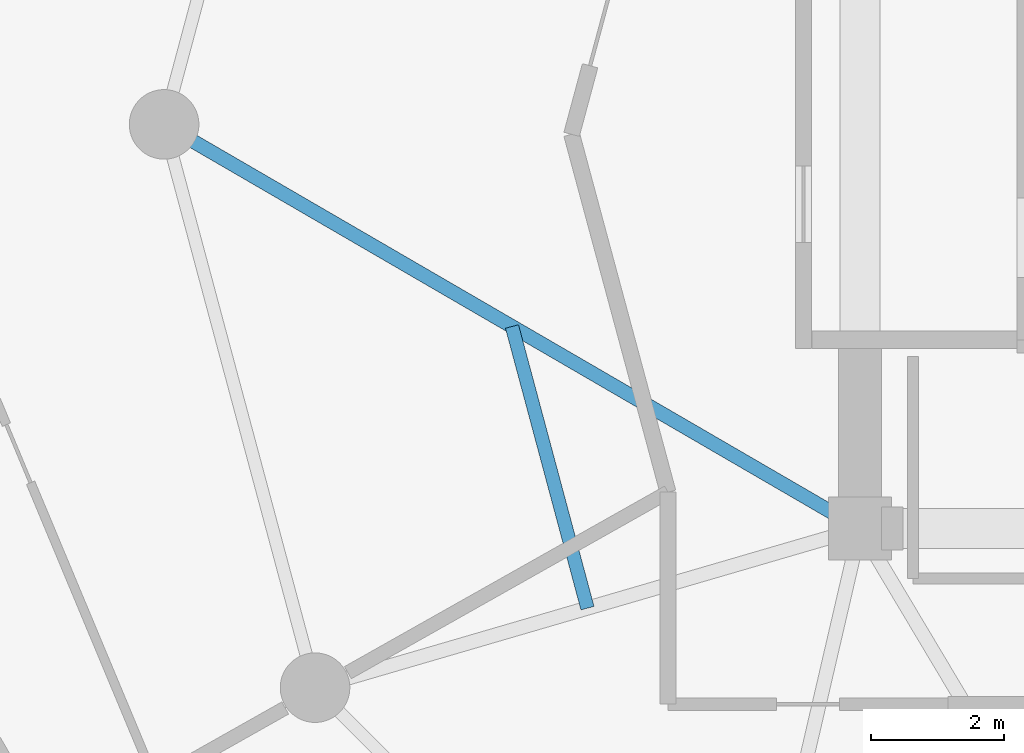
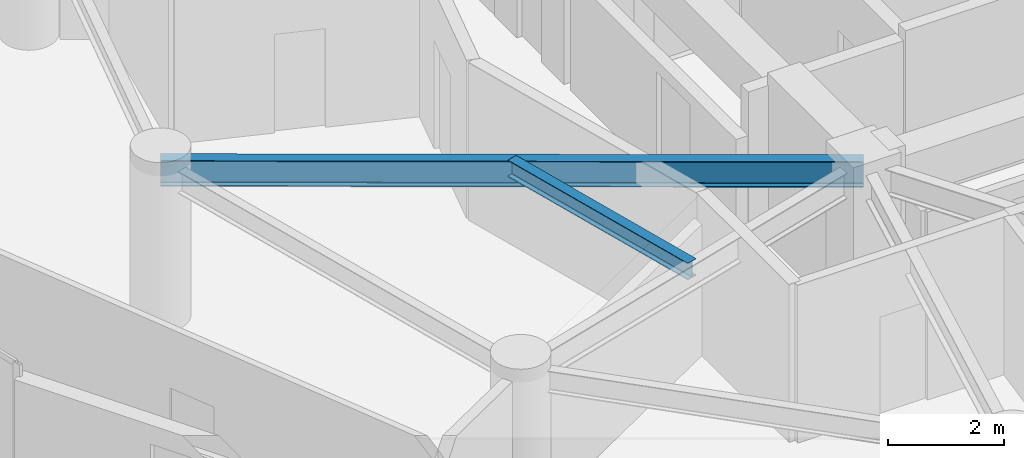
# One storey, part 7 of 25: 2 beams.
"""IFC4 building model written with IfcOpenShell, lengths in metres."""

import ifcopenshell
import ifcopenshell.guid

model = None  # the IFC model being written
_history = None  # IfcOwnerHistory: only IFC2X3 demands one
_inside = {}  # id of a spatial element -> (the spatial element, [elements in it])
_under = {}  # id of a project, library or spatial element -> (it, [spatial elements below it])
_declared = {}  # id of a project -> (the project, [libraries it declares])
_typed = {}  # id of a type object -> (the type object, [elements of that type])
_made_of = {}  # id of a material, layer set ... -> (it, [elements and type objects made of it])


def new_model(schema):
    """Start an empty IFC model of exactly this schema.

    Asked for "IFC4X3", IfcOpenShell would pick the latest addendum, in which some entities
    have other attributes; the version numbers below select the first issue.
    IFC2X3 requires an IfcOwnerHistory on every rooted entity: one is made here for all.
    """
    global model, _history
    if schema == "IFC4X3":
        model = ifcopenshell.file(schema_version=(4, 3, 0, 0))
    else:
        model = ifcopenshell.file(schema=schema)
    _inside.clear()
    _under.clear()
    _declared.clear()
    _typed.clear()
    _made_of.clear()
    _history = None
    if model.schema == "IFC2X3":
        org = make("IfcOrganization", Name="unknown")
        user = make(
            "IfcPersonAndOrganization",
            ThePerson=make("IfcPerson", FamilyName="unknown"),
            TheOrganization=org,
        )
        app = make(
            "IfcApplication",
            ApplicationDeveloper=org,
            Version="unknown",
            ApplicationFullName="unknown",
            ApplicationIdentifier="unknown",
        )
        _history = make(
            "IfcOwnerHistory",
            OwningUser=user,
            OwningApplication=app,
            ChangeAction="ADDED",
            CreationDate=0,
        )
    return model


def make(cls, **values):
    """One entity of the class cls with the attributes given. An attribute that is None is left unset."""
    return model.create_entity(
        cls, **{name: value for name, value in values.items() if value is not None}
    )


def rooted(cls, **values):
    """An entity with a GlobalId (a new one), such as an element, a storey or a relation."""
    return make(cls, GlobalId=ifcopenshell.guid.new(), OwnerHistory=_history, **values)


def si_unit(unit_type, name, prefix=None):
    """IfcSIUnit, for example si_unit("LENGTHUNIT", "METRE", prefix="MILLI")."""
    return make("IfcSIUnit", UnitType=unit_type, Prefix=prefix, Name=name)


def assignment(units):
    """IfcUnitAssignment: the units of a project."""
    return None if units is None else make("IfcUnitAssignment", Units=units)


def point(xyz):
    """IfcCartesianPoint."""
    return None if xyz is None else make("IfcCartesianPoint", Coordinates=xyz)


def direction(xyz):
    """IfcDirection."""
    return None if xyz is None else make("IfcDirection", DirectionRatios=xyz)


def frame(location, z_axis=None, x_axis=None):
    """IfcAxis2Placement3D, a coordinate frame: its origin and axes. An axis left out is left unset."""
    return make(
        "IfcAxis2Placement3D",
        Location=point(location),
        Axis=direction(z_axis),
        RefDirection=direction(x_axis),
    )


def frame_2d(location, x_axis=None):
    """IfcAxis2Placement2D, a coordinate frame in the plane: its origin and x axis."""
    return make(
        "IfcAxis2Placement2D", Location=point(location), RefDirection=direction(x_axis)
    )


def origin():
    """The frame at (0, 0, 0) with its axes left unset."""
    return frame((0.0, 0.0, 0.0))


def origin_2d():
    """The frame at (0, 0) in the plane with its x axis left unset."""
    return frame_2d((0.0, 0.0))


def place(relative_to, where):
    """IfcLocalPlacement: puts the frame where relative to a parent placement (None: the world)."""
    return make(
        "IfcLocalPlacement", PlacementRelTo=relative_to, RelativePlacement=where
    )


def context(
    kind, dimensions, precision=None, world=None, true_north=None, identifier=None
):
    """IfcGeometricRepresentationContext, for example the 3D "Model" context."""
    return make(
        "IfcGeometricRepresentationContext",
        ContextIdentifier=identifier,
        ContextType=kind,
        CoordinateSpaceDimension=dimensions,
        Precision=precision,
        WorldCoordinateSystem=world,
        TrueNorth=true_north,
    )


def subcontext(parent, identifier, kind, view, scale=None):
    """IfcGeometricRepresentationSubContext, for example "Body" below "Model"."""
    return make(
        "IfcGeometricRepresentationSubContext",
        ContextIdentifier=identifier,
        ContextType=kind,
        ParentContext=parent,
        TargetScale=scale,
        TargetView=view,
    )


def project(units=None, contexts=None):
    """IfcProject with its units and contexts."""
    return rooted(
        "IfcProject",
        Name="project",
        RepresentationContexts=contexts,
        UnitsInContext=assignment(units),
    )


def spatial(cls, under=None, at=None, **own):
    """A site, building, storey or space (cls), placed at a placement, below another one or the project."""
    s = rooted(cls, ObjectPlacement=at, **own)
    if under is not None:
        _under.setdefault(under.id(), (under, []))[1].append(s)
    return s


def profile(cls, at=None, kind="AREA", **sizes):
    """A parametric profile (cls). Its sizes go by their IFC names, for example OverallWidth=200.0."""
    return make(cls, ProfileType=kind, Position=at, **sizes)


def i_section(**sizes):
    """IfcIShapeProfileDef."""
    return profile("IfcIShapeProfileDef", **sizes)


def extrude(swept, where, along, depth):
    """IfcExtrudedAreaSolid: the profile swept, set in the frame where, extruded along a direction by depth."""
    return make(
        "IfcExtrudedAreaSolid",
        SweptArea=swept,
        Position=where,
        ExtrudedDirection=direction(along),
        Depth=depth,
    )


def shape(context_of_items, identifier, shape_type, items):
    """IfcShapeRepresentation: the items that make up one representation, for example the "Body"."""
    return make(
        "IfcShapeRepresentation",
        ContextOfItems=context_of_items,
        RepresentationIdentifier=identifier,
        RepresentationType=shape_type,
        Items=items,
    )


def material(Name=None, Category=None):
    """IfcMaterial."""
    return make("IfcMaterial", Name=Name, Category=Category)


def material_profile(
    of_material, cross_section, Name=None, Category=None, Priority=None
):
    """IfcMaterialProfile: a cross section and its material."""
    return make(
        "IfcMaterialProfile",
        Name=Name,
        Material=of_material,
        Profile=cross_section,
        Priority=Priority,
        Category=Category,
    )


def profile_set(profiles, Name=None, composite=None):
    """IfcMaterialProfileSet."""
    return make(
        "IfcMaterialProfileSet",
        Name=Name,
        MaterialProfiles=profiles,
        CompositeProfile=composite,
    )


def made_of(thing, what):
    """Note that an element or type object is made of a material, layer set ...; save() writes the relation."""
    if what is not None:
        _made_of.setdefault(what.id(), (what, []))[1].append(thing)
    return thing


def type_object(cls, material=None, **own):
    """A type object (cls), such as IfcWallType, which elements share."""
    return made_of(rooted(cls, **own), material)


def element(
    cls,
    number,
    at=None,
    inside=None,
    cuts=None,
    type_object=None,
    material=None,
    context=None,
    identifier="Body",
    shape_type=None,
    held_by="IfcProductDefinitionShape",
    body=None,
    shapes=None,
    **own,
):
    """One element of the class cls, such as IfcWall. Its Tag is "e" and its number.

    at: its placement. inside: the storey or other place that contains it. cuts: it is an
    opening in that element (IfcRelVoidsElement). A single representation is given by context,
    identifier, shape_type and body (its items); several are given by shapes. held_by: the class
    of the entity that holds the representations. save() writes the other relations.
    """
    e = rooted(cls, Tag="e%d" % number, ObjectPlacement=at, **own)
    if body is not None:
        shapes = [shape(context, identifier, shape_type, body)]
    if shapes is not None:
        e.Representation = make(held_by, Representations=shapes)
    if inside is not None:
        _inside.setdefault(inside.id(), (inside, []))[1].append(e)
    if cuts is not None:
        rooted(
            "IfcRelVoidsElement", RelatingBuildingElement=cuts, RelatedOpeningElement=e
        )
    if type_object is not None:
        _typed.setdefault(type_object.id(), (type_object, []))[1].append(e)
    return made_of(e, material)


def aggregate(whole, parts):
    """IfcRelAggregates: a whole, such as a stair, and the parts it consists of."""
    return rooted("IfcRelAggregates", RelatingObject=whole, RelatedObjects=parts)


def save(model, path):
    """Write the relations noted so far, then the file.

    IfcRelAggregates (storeys below a building ...), IfcRelContainedInSpatialStructure (elements
    in a storey), IfcRelDefinesByType, IfcRelAssociatesMaterial and IfcRelDeclares: one each for
    every whole, place, type object, material and project.
    """
    for whole, parts in _under.values():
        aggregate(whole, parts)
    for where, things in _inside.values():
        rooted(
            "IfcRelContainedInSpatialStructure",
            RelatedElements=things,
            RelatingStructure=where,
        )
    for kind, things in _typed.values():
        rooted("IfcRelDefinesByType", RelatedObjects=things, RelatingType=kind)
    for what, things in _made_of.values():
        rooted("IfcRelAssociatesMaterial", RelatedObjects=things, RelatingMaterial=what)
    for by, libraries in _declared.values():
        rooted("IfcRelDeclares", RelatingContext=by, RelatedDefinitions=libraries)
    model.write(path)


model = new_model("IFC4")

# Units and contexts
model_context = context("Model", 3, precision=1e-05, world=origin(), true_north=direction((0.0, 1.0)))
body_context = subcontext(model_context, "Body", "Model", "MODEL_VIEW")
ifc_project = project(units=[si_unit("LENGTHUNIT", "METRE"), si_unit("AREAUNIT", "SQUARE_METRE"), si_unit("VOLUMEUNIT", "CUBIC_METRE"), si_unit("PLANEANGLEUNIT", "RADIAN"), si_unit("MASSUNIT", "GRAM", prefix="KILO")], contexts=[model_context])

# Site, building, storey
site_placement = place(None, origin())
site = spatial("IfcSite", under=ifc_project, at=site_placement, CompositionType="ELEMENT")
building_placement = place(site_placement, origin())
building = spatial("IfcBuilding", under=site, at=building_placement, Name="Solvirekh Grand Hotel", CompositionType="ELEMENT")
storey_placement = place(building_placement, frame((0.0, 0.0, 124.199951171875)))
storey = spatial("IfcBuildingStorey", under=building, at=storey_placement, Name="L31", CompositionType="ELEMENT", Elevation=124.199951171875)

# Beams
ifc_material = material(Name="Steel S355", Category="steel")
ifc_material_profile_1 = material_profile(ifc_material, i_section(OverallWidth=0.2119140625, OverallDepth=0.5439453125, WebThickness=0.011962890625, FlangeThickness=0.01904296875, FilletRadius=0.013916015625, at=origin_2d()), Name="W530X123")
ifc_profile_set_1 = profile_set([ifc_material_profile_1], Name="Steel S355")
beam_type_1 = type_object("IfcBeamType", Name="Beam_Radial_W530H", PredefinedType="BEAM", material=ifc_profile_set_1)
beam_1_placement = place(storey_placement, frame((-6.5, -6.10009765625, 3.078125), z_axis=(-0.864670076815, 0.50234018181, 0.0), x_axis=(-0.50234018181, -0.864670076815, 0.0)))
element("IfcBeam", 1, at=beam_1_placement, inside=storey, type_object=beam_type_1, Name="L31 radial floor beam R07", PredefinedType="BEAM", context=body_context, shape_type="SweptSolid", body=[
    extrude(i_section(OverallWidth=0.2119140625, OverallDepth=0.5439453125, WebThickness=0.011962890625, FlangeThickness=0.01904296875, FilletRadius=0.013916015625, at=origin_2d()), origin(), (0.0, 0.0, 1.0), 12.143310546875),
])
ifc_material_profile_2 = material_profile(ifc_material, i_section(OverallWidth=0.2041015625, OverallDepth=0.35009765625, WebThickness=0.009033203125, FlangeThickness=0.014892578125, FilletRadius=0.010986328125, at=origin_2d()), Name="W360X72")
ifc_profile_set_2 = profile_set([ifc_material_profile_2], Name="Steel S355")
beam_type_2 = type_object("IfcBeamType", Name="Joist_Floor_W360", PredefinedType="JOIST", material=ifc_profile_set_2)
beam_2_placement = place(storey_placement, frame((-11.75, -3.050048828125, 3.175048828125), z_axis=(0.258847024572, -0.965918328778, 0.0), x_axis=(0.965918328778, 0.258847024572, 0.0)))
element("IfcBeam", 2, at=beam_2_placement, inside=storey, type_object=beam_type_2, Name="L31 secondary composite floor joist 7", PredefinedType="JOIST", context=body_context, shape_type="SweptSolid", body=[
    extrude(i_section(OverallWidth=0.2041015625, OverallDepth=0.35009765625, WebThickness=0.009033203125, FlangeThickness=0.014892578125, FilletRadius=0.010986328125, at=origin_2d()), origin(), (0.0, 0.0, 1.0), 4.39990234375),
])

save(model, "model.ifc")
